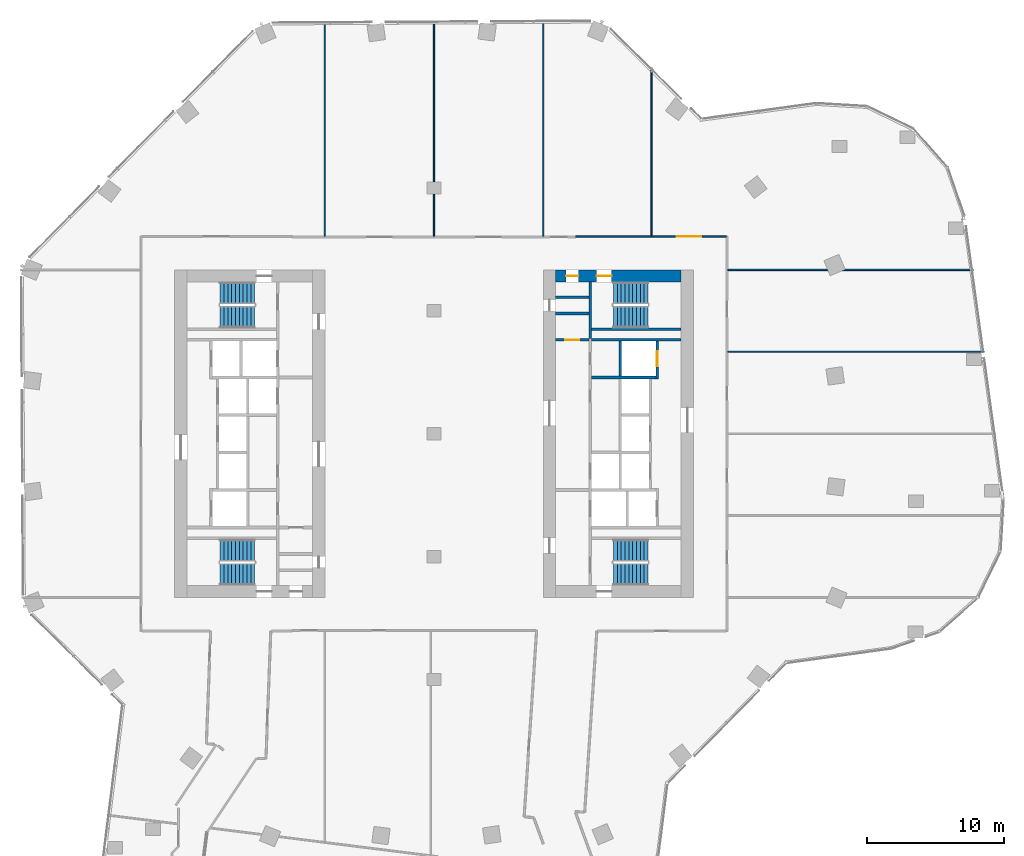
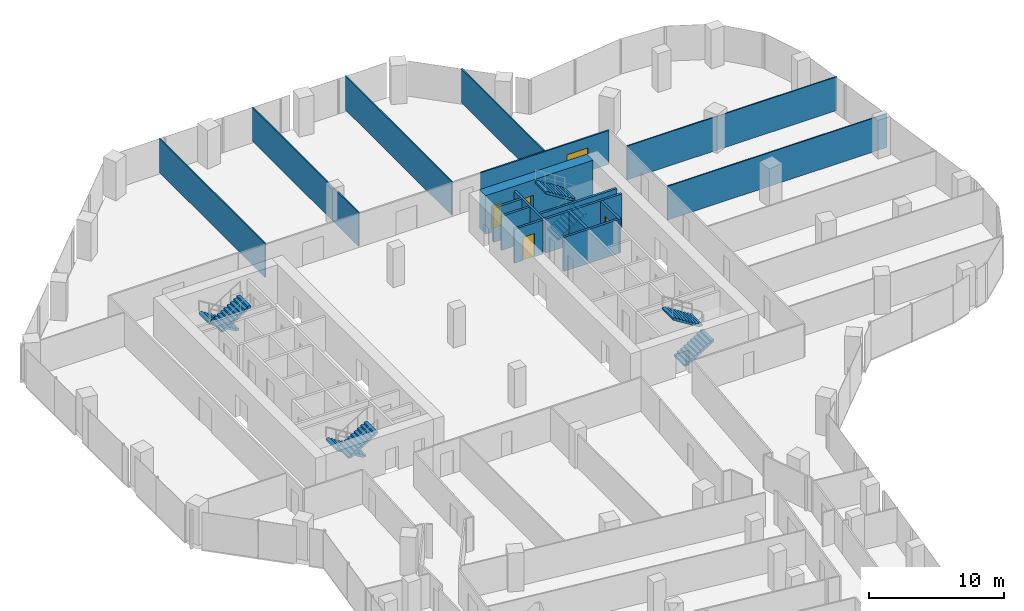
# One storey, part 23 of 27: 17 walls, 8 stair flights, 5 doors, 5 openings, 4 elements without a shape of their own.
"""IFC4 building model written with IfcOpenShell, lengths in metres."""

from ifc_helpers import new_model, si_unit, direction, frame, frame_2d, origin, place, context, subcontext, project, spatial, polyline, rectangle, outline, extrude, material, layer, layer_set, type_object, element, fill, aggregate, save


model = new_model("IFC4")

# Units and contexts
model_context = context("Model", 3, precision=1e-05, world=origin(), true_north=direction((0.0, 1.0)))
body_context = subcontext(model_context, "Body", "Model", "MODEL_VIEW")
ifc_project = project(units=[si_unit("LENGTHUNIT", "METRE"), si_unit("AREAUNIT", "SQUARE_METRE"), si_unit("VOLUMEUNIT", "CUBIC_METRE"), si_unit("PLANEANGLEUNIT", "RADIAN"), si_unit("MASSUNIT", "GRAM", prefix="KILO")], contexts=[model_context])

# Site, building, storey
site_placement = place(None, origin())
site = spatial("IfcSite", under=ifc_project, at=site_placement, CompositionType="ELEMENT")
building_placement = place(site_placement, origin())
building = spatial("IfcBuilding", under=site, at=building_placement, Name="Orlundy Tower", CompositionType="ELEMENT")
storey_placement = place(building_placement, frame((0.0, 0.0, 195.60009765625)))
storey = spatial("IfcBuildingStorey", under=building, at=storey_placement, Name="L51", CompositionType="ELEMENT", Elevation=195.60009765625)

# Wall, openings, doors
ifc_material_1 = material(Name="Concrete C70/85", Category="concrete")
ifc_layer_1 = layer(ifc_material_1, 0.89990234375)
ifc_layer_set_1 = layer_set([ifc_layer_1], Name="CORE WALL 900 C70/85")
wall_type_1 = type_object("IfcWallType", Name="CORE WALL 900 C70/85", PredefinedType="SHEAR", material=ifc_layer_set_1)
wall_1_placement = place(storey_placement, frame((8.89990234375, 11.550048828125, 0.0), z_axis=(0.0, 0.0, 1.0), x_axis=(1.0, 0.0, 0.0)))
wall_1 = element("IfcWall", 1, at=wall_1_placement, inside=storey, type_object=wall_type_1, Name="Core wall E-N L51", PredefinedType="SHEAR", context=body_context, shape_type="SweptSolid", body=[
    extrude(rectangle(XDim=9.2001953125, YDim=0.89990234375, at=frame_2d((4.60009765625, 0.0))), origin(), (0.0, 0.0, 1.0), 3.5),
])
opening_1_placement = place(wall_1_placement, frame((3.0, 0.0, 0.0)))
opening_1 = element("IfcOpeningElement", 2, at=opening_1_placement, cuts=wall_1, Name="Opening 39062", PredefinedType="OPENING", context=body_context, shape_type="SweptSolid", body=[
    extrude(rectangle(XDim=1.10009765625, YDim=2.10009765625, at=frame_2d((0.550048828125, 1.050048828125))), frame((0.0, 0.4599609375, 0.0), z_axis=(0.0, -1.0, 0.0), x_axis=(1.0, 0.0, 0.0)), (0.0, 0.0, 1.0), 0.919921875),
])
opening_2_placement = place(wall_1_placement, frame((0.77001953125, 0.0, 0.0)))
opening_2 = element("IfcOpeningElement", 3, at=opening_2_placement, cuts=wall_1, Name="Opening 39064", PredefinedType="OPENING", context=body_context, shape_type="SweptSolid", body=[
    extrude(rectangle(XDim=0.89990234375, YDim=2.10009765625, at=frame_2d((0.449951171875, 1.050048828125))), frame((0.0, 0.4599609375, 0.0), z_axis=(0.0, -1.0, 0.0), x_axis=(1.0, 0.0, 0.0)), (0.0, 0.0, 1.0), 0.919921875),
])
ifc_material_2 = material(Name="Timber door set", Category="wood")
door_type_1 = type_object("IfcDoorType", Name="Room Door 900x2100", OperationType="SINGLE_SWING_LEFT", PredefinedType="DOOR", material=ifc_material_2)
door_1_placement = place(opening_2_placement, origin())
door_1 = element("IfcDoor", 4, at=door_1_placement, inside=storey, type_object=door_type_1, Name="Store door 39064", OperationType="SINGLE_SWING_LEFT", OverallHeight=2.10009765625, OverallWidth=0.89990234375, PredefinedType="DOOR", context=body_context, shape_type="SweptSolid", body=[
    extrude(rectangle(XDim=0.89990234375, YDim=2.10009765625, at=frame_2d((0.449951171875, 1.050048828125))), frame((0.0, 0.02490234375, 0.0), z_axis=(0.0, -1.0, 0.0), x_axis=(1.0, 0.0, 0.0)), (0.0, 0.0, 1.0), 0.050048828125),
])
fill(opening_2, door_1)
ifc_material_3 = material(Name="Steel door set", Category="steel")
door_type_2 = type_object("IfcDoorType", Name="Stair Door 1100x2100", OperationType="SINGLE_SWING_LEFT", PredefinedType="DOOR", material=ifc_material_3)
door_2_placement = place(opening_1_placement, origin())
door_2 = element("IfcDoor", 5, at=door_2_placement, inside=storey, type_object=door_type_2, Name="Stair door 39062", OperationType="SINGLE_SWING_LEFT", OverallHeight=2.10009765625, OverallWidth=1.10009765625, PredefinedType="DOOR", context=body_context, shape_type="SweptSolid", body=[
    extrude(rectangle(XDim=1.10009765625, YDim=2.10009765625, at=frame_2d((0.550048828125, 1.050048828125))), frame((0.0, 0.02490234375, 0.0), z_axis=(0.0, -1.0, 0.0), x_axis=(1.0, 0.0, 0.0)), (0.0, 0.0, 1.0), 0.050048828125),
])
fill(opening_1, door_2)

# Walls
ifc_material_4 = material(Name="Gypsum board partition")
ifc_layer_2 = layer(ifc_material_4, 0.10009765625)
ifc_layer_set_2 = layer_set([ifc_layer_2], Name="Floor partition 100")
wall_type_2 = type_object("IfcWallType", Name="Floor partition 100", PredefinedType="PARTITIONING", material=ifc_layer_set_2)
wall_2_placement = place(storey_placement, frame((21.511962890625, 6.0, 0.0), z_axis=(0.0, 0.0, 1.0), x_axis=(1.0, 0.0, 0.0)))
element("IfcWall", 6, at=wall_2_placement, inside=storey, type_object=wall_type_2, Name="wall-int-L51-037", PredefinedType="PARTITIONING", context=body_context, shape_type="SweptSolid", body=[
    extrude(rectangle(XDim=18.796142578125, YDim=0.10009765625, at=frame_2d((9.39794921875, 0.0))), origin(), (0.0, 0.0, 1.0), 3.059814453125),
])
wall_3_placement = place(storey_placement, frame((21.511962890625, 12.0, 0.0), z_axis=(0.0, 0.0, 1.0), x_axis=(1.0, 0.0, 0.0)))
element("IfcWall", 7, at=wall_3_placement, inside=storey, type_object=wall_type_2, Name="wall-int-L51-039", PredefinedType="PARTITIONING", context=body_context, shape_type="SweptSolid", body=[
    extrude(rectangle(XDim=17.970947265625, YDim=0.10009765625, at=frame_2d((8.9853515625, 0.0))), origin(), (0.0, 0.0, 1.0), 3.059814453125),
])
wall_4_placement = place(storey_placement, frame((15.9208984375, 14.513916015625, 0.0), z_axis=(0.0, 0.0, 1.0), x_axis=(0.0, 1.0, 0.0)))
element("IfcWall", 8, at=wall_4_placement, inside=storey, type_object=wall_type_2, Name="wall-int-L51-068", PredefinedType="PARTITIONING", context=body_context, shape_type="SweptSolid", body=[
    extrude(rectangle(XDim=12.283203125, YDim=0.10009765625, at=frame_2d((6.1416015625, 0.0))), origin(), (0.0, 0.0, 1.0), 3.059814453125),
])
wall_5_placement = place(storey_placement, frame((8.0, 14.462890625, 0.0), z_axis=(0.0, 0.0, 1.0), x_axis=(0.0, 1.0, 0.0)))
element("IfcWall", 9, at=wall_5_placement, inside=storey, type_object=wall_type_2, Name="wall-int-L51-069", PredefinedType="PARTITIONING", context=body_context, shape_type="SweptSolid", body=[
    extrude(rectangle(XDim=15.834228515625, YDim=0.10009765625, at=frame_2d((7.9169921875, 0.0))), origin(), (0.0, 0.0, 1.0), 3.059814453125),
])
wall_6_placement = place(storey_placement, frame((0.0, 14.462890625, 0.0), z_axis=(0.0, 0.0, 1.0), x_axis=(0.0, 1.0, 0.0)))
element("IfcWall", 10, at=wall_6_placement, inside=storey, type_object=wall_type_2, Name="wall-int-L51-071", PredefinedType="PARTITIONING", context=body_context, shape_type="SweptSolid", body=[
    extrude(rectangle(XDim=15.7880859375, YDim=0.10009765625, at=frame_2d((7.89404296875, 0.0))), origin(), (0.0, 0.0, 1.0), 3.059814453125),
])
wall_7_placement = place(storey_placement, frame((-8.0, 14.462890625, 0.0), z_axis=(0.0, 0.0, 1.0), x_axis=(0.0, 1.0, 0.0)))
element("IfcWall", 11, at=wall_7_placement, inside=storey, type_object=wall_type_2, Name="wall-int-L51-075", PredefinedType="PARTITIONING", context=body_context, shape_type="SweptSolid", body=[
    extrude(rectangle(XDim=15.7412109375, YDim=0.10009765625, at=frame_2d((7.87060546875, 0.0))), origin(), (0.0, 0.0, 1.0), 3.059814453125),
])

# Wall, opening, door
ifc_material_5 = material(Name="Gypsum board partition, double layer")
ifc_layer_3 = layer(ifc_material_5, 0.125)
ifc_layer_set_3 = layer_set([ifc_layer_3], Name="Floor partition 125")
wall_type_3 = type_object("IfcWallType", Name="Floor partition 125", PredefinedType="PARTITIONING", material=ifc_layer_set_3)
wall_8_placement = place(storey_placement, frame((10.39111328125, 14.450927734375, 0.0), z_axis=(0.0, 0.0, 1.0), x_axis=(1.0, 0.0, 0.0)))
wall_8 = element("IfcWall", 12, at=wall_8_placement, inside=storey, type_object=wall_type_3, Name="wall-int-L51-042", PredefinedType="PARTITIONING", context=body_context, shape_type="SweptSolid", body=[
    extrude(rectangle(XDim=10.995849609375, YDim=0.125, at=frame_2d((5.498046875, 0.0))), origin(), (0.0, 0.0, 1.0), 3.059814453125),
])
opening_3_placement = place(wall_8_placement, frame((7.3798828125, 0.0, 0.0)))
opening_3 = element("IfcOpeningElement", 13, at=opening_3_placement, cuts=wall_8, Name="Opening 39122", PredefinedType="OPENING", context=body_context, shape_type="SweptSolid", body=[
    extrude(rectangle(XDim=1.800048828125, YDim=2.10009765625, at=frame_2d((0.89990234375, 1.050048828125))), frame((0.0, 0.072509765625, 0.0), z_axis=(0.0, -1.0, 0.0), x_axis=(1.0, 0.0, 0.0)), (0.0, 0.0, 1.0), 0.14501953125),
])
ifc_material_6 = material(Name="Timber door leaf", Category="wood")
door_type_3 = type_object("IfcDoorType", Name="Floor door double 1800 FD30S", OperationType="NOTDEFINED", PredefinedType="DOOR", material=ifc_material_6)
door_3_placement = place(opening_3_placement, origin())
door_3 = element("IfcDoor", 14, at=door_3_placement, inside=storey, type_object=door_type_3, Name="Door 39122", OperationType="DOUBLE_DOOR_SINGLE_SWING", OverallHeight=2.10009765625, OverallWidth=1.800048828125, PredefinedType="DOOR", context=body_context, shape_type="SweptSolid", body=[
    extrude(rectangle(XDim=1.800048828125, YDim=2.10009765625, at=frame_2d((0.89990234375, 1.050048828125))), frame((0.0, 0.02490234375, 0.0), z_axis=(0.0, -1.0, 0.0), x_axis=(1.0, 0.0, 0.0)), (0.0, 0.0, 1.0), 0.050048828125),
])
fill(opening_3, door_3)

# Walls
ifc_material_7 = material(Name="Concrete C40/50", Category="concrete")
ifc_layer_4 = layer(ifc_material_7, 0.199951171875)
ifc_layer_set_4 = layer_set([ifc_layer_4], Name="Load-bearing Shaft Wall 200")
wall_type_4 = type_object("IfcWallType", Name="Load-bearing Shaft Wall 200", PredefinedType="SOLIDWALL", material=ifc_layer_set_4)
wall_9_placement = place(storey_placement, frame((11.43994140625, 11.10009765625, 0.0), z_axis=(0.0, 0.0, 1.0), x_axis=(0.0, -1.0, 0.0)))
element("IfcWall", 15, at=wall_9_placement, inside=storey, type_object=wall_type_4, Name="Shaft wall E39-stair-end-s", PredefinedType="SOLIDWALL", context=body_context, shape_type="SweptSolid", body=[
    extrude(rectangle(XDim=4.125, YDim=0.199951171875, at=frame_2d((2.0625, 0.0))), origin(), (0.0, 0.0, 1.0), 3.079833984375),
])
wall_10_placement = place(storey_placement, frame((11.5400390625, 7.64990234375, 0.0), z_axis=(0.0, 0.0, 1.0), x_axis=(1.0, 0.0, 0.0)))
element("IfcWall", 16, at=wall_10_placement, inside=storey, type_object=wall_type_4, Name="Shaft wall E39-stair-side-s", PredefinedType="SOLIDWALL", context=body_context, shape_type="SweptSolid", body=[
    extrude(rectangle(XDim=6.56005859375, YDim=0.199951171875, at=frame_2d((3.280029296875, 0.0))), origin(), (0.0, 0.0, 1.0), 3.079833984375),
])

# Wall, opening, door
ifc_material_8 = material(Name="Gypsum board partition on steel studs", Category="steel")
ifc_layer_5 = layer(ifc_material_8, 0.199951171875)
ifc_layer_set_5 = layer_set([ifc_layer_5], Name="Partition 200")
wall_type_5 = type_object("IfcWallType", Name="Partition 200", PredefinedType="PARTITIONING", material=ifc_layer_set_5)
wall_11_placement = place(storey_placement, frame((8.89990234375, 6.875, 0.0), z_axis=(0.0, 0.0, 1.0), x_axis=(1.0, 0.0, 0.0)))
wall_11 = element("IfcWall", 17, at=wall_11_placement, inside=storey, type_object=wall_type_5, Name="Partition wall E39-end-s", PredefinedType="PARTITIONING", context=body_context, shape_type="SweptSolid", body=[
    extrude(rectangle(XDim=2.440185546875, YDim=0.199951171875, at=frame_2d((1.22021484375, 0.0))), origin(), (0.0, 0.0, 1.0), 3.079833984375),
])
opening_4_placement = place(wall_11_placement, frame((0.719970703125, 0.0, 0.0)))
opening_4 = element("IfcOpeningElement", 18, at=opening_4_placement, cuts=wall_11, Name="Opening 39066", PredefinedType="OPENING", context=body_context, shape_type="SweptSolid", body=[
    extrude(rectangle(XDim=1.0, YDim=2.10009765625, at=frame_2d((0.5, 1.050048828125))), frame((0.0, 0.110107421875, 0.0), z_axis=(0.0, -1.0, 0.0), x_axis=(1.0, 0.0, 0.0)), (0.0, 0.0, 1.0), 0.22021484375),
])
ifc_material_9 = material(Name="Timber door set", Category="wood")
door_type_4 = type_object("IfcDoorType", Name="Accessible Door 1000x2100", OperationType="SINGLE_SWING_LEFT", PredefinedType="DOOR", material=ifc_material_9)
door_4_placement = place(opening_4_placement, origin())
door_4 = element("IfcDoor", 19, at=door_4_placement, inside=storey, type_object=door_type_4, Name="Accessible WC door 39066", OperationType="SINGLE_SWING_RIGHT", OverallHeight=2.10009765625, OverallWidth=1.0, PredefinedType="DOOR", context=body_context, shape_type="SweptSolid", body=[
    extrude(rectangle(XDim=1.0, YDim=2.10009765625, at=frame_2d((0.5, 1.050048828125))), frame((0.0, 0.02490234375, 0.0), z_axis=(0.0, -1.0, 0.0), x_axis=(1.0, 0.0, 0.0)), (0.0, 0.0, 1.0), 0.050048828125),
])
fill(opening_4, door_4)

# Walls
for number, where, z_axis, x_axis, name in (
    (20, (8.89990234375, 10.0, 0.0), (0.0, 0.0, 1.0), (1.0, 0.0, 0.0), "Partition wall E39-room-s0"),
    (21, (8.89990234375, 8.800048828125, 0.0), (0.0, 0.0, 1.0), (1.0, 0.0, 0.0), "Partition wall E39-room-s1"),
):
    element("IfcWall", number, at=place(storey_placement, frame(where, z_axis=z_axis, x_axis=x_axis)), inside=storey, type_object=wall_type_5, Name=name, PredefinedType="PARTITIONING", context=body_context, shape_type="SweptSolid", body=[
        extrude(rectangle(XDim=2.440185546875, YDim=0.199951171875, at=frame_2d((1.22021484375, 0.0))), origin(), (0.0, 0.0, 1.0), 3.079833984375),
    ])
ifc_material_10 = material(Name="Fire-rated blockwork shaft wall", Category="masonry")
ifc_layer_6 = layer(ifc_material_10, 0.199951171875)
ifc_layer_set_6 = layer_set([ifc_layer_6], Name="Shaft Wall 200")
wall_type_6 = type_object("IfcWallType", Name="Shaft Wall 200", PredefinedType="SOLIDWALL", material=ifc_layer_set_6)
wall_12_placement = place(storey_placement, frame((11.5400390625, 6.875, 0.0), z_axis=(0.0, 0.0, 1.0), x_axis=(1.0, 0.0, 0.0)))
element("IfcWall", 22, at=wall_12_placement, inside=storey, type_object=wall_type_6, Name="Shaft wall E39-zone-s", PredefinedType="SOLIDWALL", context=body_context, shape_type="SweptSolid", body=[
    extrude(rectangle(XDim=6.56005859375, YDim=0.199951171875, at=frame_2d((3.280029296875, 0.0))), origin(), (0.0, 0.0, 1.0), 3.079833984375),
])
wall_13_placement = place(storey_placement, frame((11.5400390625, 4.125, 0.0), z_axis=(0.0, 0.0, 1.0), x_axis=(1.0, 0.0, 0.0)))
element("IfcWall", 23, at=wall_13_placement, inside=storey, type_object=wall_type_6, Name="Shaft wall E39-cross-4.125", PredefinedType="SOLIDWALL", context=body_context, shape_type="SweptSolid", body=[
    extrude(rectangle(XDim=4.699951171875, YDim=0.199951171875, at=frame_2d((2.35009765625, 0.0))), origin(), (0.0, 0.0, 1.0), 3.079833984375),
])
wall_14_placement = place(storey_placement, frame((13.639892578125, 6.77490234375, 0.0), z_axis=(0.0, 0.0, 1.0), x_axis=(0.0, -1.0, 0.0)))
element("IfcWall", 24, at=wall_14_placement, inside=storey, type_object=wall_type_6, Name="Shaft wall E39-mid-a", PredefinedType="SOLIDWALL", context=body_context, shape_type="SweptSolid", body=[
    extrude(rectangle(XDim=2.5498046875, YDim=0.199951171875, at=frame_2d((1.27490234375, 0.0))), origin(), (0.0, 0.0, 1.0), 3.079833984375),
])

# Wall, opening, door
wall_15_placement = place(storey_placement, frame((16.340087890625, 6.77490234375, 0.0), z_axis=(0.0, 0.0, 1.0), x_axis=(0.0, -1.0, 0.0)))
wall_15 = element("IfcWall", 25, at=wall_15_placement, inside=storey, type_object=wall_type_6, Name="Shaft wall E39-front-o-a", PredefinedType="SOLIDWALL", context=body_context, shape_type="SweptSolid", body=[
    extrude(rectangle(XDim=2.75, YDim=0.199951171875, at=frame_2d((1.375, 0.0))), origin(), (0.0, 0.0, 1.0), 3.079833984375),
])
opening_5_placement = place(wall_15_placement, frame((0.72509765625, 0.0, 0.0)))
opening_5 = element("IfcOpeningElement", 26, at=opening_5_placement, cuts=wall_15, Name="Opening 39050", PredefinedType="OPENING", context=body_context, shape_type="SweptSolid", body=[
    extrude(rectangle(XDim=1.10009765625, YDim=2.10009765625, at=frame_2d((0.550048828125, 1.050048828125))), frame((0.0, 0.110107421875, 0.0), z_axis=(0.0, -1.0, 0.0), x_axis=(1.0, 0.0, 0.0)), (0.0, 0.0, 1.0), 0.22021484375),
])
ifc_material_11 = material(Name="Steel door set", Category="steel")
door_type_5 = type_object("IfcDoorType", Name="Landing Door 1100x2100", OperationType="DOUBLE_DOOR_SLIDING", PredefinedType="DOOR", material=ifc_material_11)
door_5_placement = place(opening_5_placement, origin())
door_5 = element("IfcDoor", 27, at=door_5_placement, inside=storey, type_object=door_type_5, Name="Lift landing door LV-02 39050", OperationType="DOUBLE_DOOR_SLIDING", OverallHeight=2.10009765625, OverallWidth=1.10009765625, PredefinedType="DOOR", context=body_context, shape_type="SweptSolid", body=[
    extrude(rectangle(XDim=1.10009765625, YDim=2.10009765625, at=frame_2d((0.550048828125, 1.050048828125))), frame((0.0, 0.02490234375, 0.0), z_axis=(0.0, -1.0, 0.0), x_axis=(1.0, 0.0, 0.0)), (0.0, 0.0, 1.0), 0.050048828125),
])
fill(opening_5, door_5)

# Stair, stair flights
ifc_material_12 = material(Name="Concrete C50/60", Category="concrete")
stair_type = type_object("IfcStairType", Name="Exit Stair 20 risers", PredefinedType="HALF_TURN_STAIR", material=ifc_material_12)
stair_1_placement = place(storey_placement, origin())
stair_1 = element("IfcStair", 28, at=stair_1_placement, inside=storey, type_object=stair_type, Name="L51 Exit Stair ST-W1", PredefinedType="HALF_TURN_STAIR")
ifc_material_13 = material(Name="Concrete C50/60", Category="concrete")
stair_flight_type = type_object("IfcStairFlightType", Name="Stair Flight 10 risers", PredefinedType="STRAIGHT", material=ifc_material_13)
stair_flight_1_placement = place(storey_placement, frame((-13.139892578125, 10.300048828125, 0.0), z_axis=(0.0, 0.0, 1.0), x_axis=(-1.0, 0.0, 0.0)))
stair_flight_1 = element("IfcStairFlight", 29, at=stair_flight_1_placement, type_object=stair_flight_type, Name="ST-W1 flight 1", NumberOfRisers=10, NumberOfTreads=9, PredefinedType="STRAIGHT", RiserHeight=0.175, TreadLength=0.28, context=body_context, shape_type="SweptSolid", body=[
    extrude(outline(polyline([(0.0, 0.0), (0.0, 0.175048828125), (0.280029296875, 0.175048828125), (0.280029296875, 0.35009765625), (0.56005859375, 0.35009765625), (0.56005859375, 0.52490234375), (0.840087890625, 0.52490234375), (0.840087890625, 0.699951171875), (1.1201171875, 0.699951171875), (1.1201171875, 0.875), (1.39990234375, 0.875), (1.39990234375, 1.050048828125), (1.679931640625, 1.050048828125), (1.679931640625, 1.22509765625), (1.9599609375, 1.22509765625), (1.9599609375, 1.39990234375), (2.239990234375, 1.39990234375), (2.239990234375, 1.574951171875), (2.52001953125, 1.574951171875), (2.52001953125, 1.75), (2.52001953125, 1.398193359375), (0.28271484375, 0.0), (0.0, 0.0)])), frame((0.0, 0.800048828125, 0.0), z_axis=(0.0, -1.0, 0.0), x_axis=(1.0, 0.0, 0.0)), (0.0, 0.0, 1.0), 1.60009765625),
])
stair_flight_2_placement = place(storey_placement, frame((-15.659912109375, 8.550048828125, 1.75), z_axis=(0.0, 0.0, 1.0), x_axis=(1.0, 0.0, 0.0)))
stair_flight_2 = element("IfcStairFlight", 30, at=stair_flight_2_placement, type_object=stair_flight_type, Name="ST-W1 flight 2", NumberOfRisers=10, NumberOfTreads=9, PredefinedType="STRAIGHT", RiserHeight=0.175, TreadLength=0.28, context=body_context, shape_type="SweptSolid", body=[
    extrude(outline(polyline([(0.0, 0.0), (0.0, 0.175048828125), (0.280029296875, 0.175048828125), (0.280029296875, 0.35009765625), (0.56005859375, 0.35009765625), (0.56005859375, 0.52490234375), (0.840087890625, 0.52490234375), (0.840087890625, 0.699951171875), (1.1201171875, 0.699951171875), (1.1201171875, 0.875), (1.39990234375, 0.875), (1.39990234375, 1.050048828125), (1.679931640625, 1.050048828125), (1.679931640625, 1.22509765625), (1.9599609375, 1.22509765625), (1.9599609375, 1.39990234375), (2.239990234375, 1.39990234375), (2.239990234375, 1.574951171875), (2.52001953125, 1.574951171875), (2.52001953125, 1.75), (2.52001953125, 1.398193359375), (0.28271484375, 0.0), (0.0, 0.0)])), frame((0.0, 0.800048828125, 0.0), z_axis=(0.0, -1.0, 0.0), x_axis=(1.0, 0.0, 0.0)), (0.0, 0.0, 1.0), 1.60009765625),
])
aggregate(stair_1, [stair_flight_1, stair_flight_2])

stair_2_placement = place(storey_placement, origin())
stair_2 = element("IfcStair", 31, at=stair_2_placement, inside=storey, type_object=stair_type, Name="L51 Exit Stair ST-W2", PredefinedType="HALF_TURN_STAIR")
stair_flight_3_placement = place(storey_placement, frame((-13.139892578125, -8.550048828125, 0.0), z_axis=(0.0, 0.0, 1.0), x_axis=(-1.0, 0.0, 0.0)))
stair_flight_3 = element("IfcStairFlight", 32, at=stair_flight_3_placement, type_object=stair_flight_type, Name="ST-W2 flight 1", NumberOfRisers=10, NumberOfTreads=9, PredefinedType="STRAIGHT", RiserHeight=0.175, TreadLength=0.28, context=body_context, shape_type="SweptSolid", body=[
    extrude(outline(polyline([(0.0, 0.0), (0.0, 0.175048828125), (0.280029296875, 0.175048828125), (0.280029296875, 0.35009765625), (0.56005859375, 0.35009765625), (0.56005859375, 0.52490234375), (0.840087890625, 0.52490234375), (0.840087890625, 0.699951171875), (1.1201171875, 0.699951171875), (1.1201171875, 0.875), (1.39990234375, 0.875), (1.39990234375, 1.050048828125), (1.679931640625, 1.050048828125), (1.679931640625, 1.22509765625), (1.9599609375, 1.22509765625), (1.9599609375, 1.39990234375), (2.239990234375, 1.39990234375), (2.239990234375, 1.574951171875), (2.52001953125, 1.574951171875), (2.52001953125, 1.75), (2.52001953125, 1.398193359375), (0.28271484375, 0.0), (0.0, 0.0)])), frame((0.0, 0.800048828125, 0.0), z_axis=(0.0, -1.0, 0.0), x_axis=(1.0, 0.0, 0.0)), (0.0, 0.0, 1.0), 1.60009765625),
])
stair_flight_4_placement = place(storey_placement, frame((-15.659912109375, -10.300048828125, 1.75), z_axis=(0.0, 0.0, 1.0), x_axis=(1.0, 0.0, 0.0)))
stair_flight_4 = element("IfcStairFlight", 33, at=stair_flight_4_placement, type_object=stair_flight_type, Name="ST-W2 flight 2", NumberOfRisers=10, NumberOfTreads=9, PredefinedType="STRAIGHT", RiserHeight=0.175, TreadLength=0.28, context=body_context, shape_type="SweptSolid", body=[
    extrude(outline(polyline([(0.0, 0.0), (0.0, 0.175048828125), (0.280029296875, 0.175048828125), (0.280029296875, 0.35009765625), (0.56005859375, 0.35009765625), (0.56005859375, 0.52490234375), (0.840087890625, 0.52490234375), (0.840087890625, 0.699951171875), (1.1201171875, 0.699951171875), (1.1201171875, 0.875), (1.39990234375, 0.875), (1.39990234375, 1.050048828125), (1.679931640625, 1.050048828125), (1.679931640625, 1.22509765625), (1.9599609375, 1.22509765625), (1.9599609375, 1.39990234375), (2.239990234375, 1.39990234375), (2.239990234375, 1.574951171875), (2.52001953125, 1.574951171875), (2.52001953125, 1.75), (2.52001953125, 1.398193359375), (0.28271484375, 0.0), (0.0, 0.0)])), frame((0.0, 0.800048828125, 0.0), z_axis=(0.0, -1.0, 0.0), x_axis=(1.0, 0.0, 0.0)), (0.0, 0.0, 1.0), 1.60009765625),
])
aggregate(stair_2, [stair_flight_3, stair_flight_4])

stair_3_placement = place(storey_placement, origin())
stair_3 = element("IfcStair", 34, at=stair_3_placement, inside=storey, type_object=stair_type, Name="L51 Exit Stair ST-E1", PredefinedType="HALF_TURN_STAIR")
stair_flight_5_placement = place(storey_placement, frame((13.139892578125, -10.300048828125, 0.0), z_axis=(0.0, 0.0, 1.0), x_axis=(1.0, 0.0, 0.0)))
stair_flight_5 = element("IfcStairFlight", 35, at=stair_flight_5_placement, type_object=stair_flight_type, Name="ST-E1 flight 1", NumberOfRisers=10, NumberOfTreads=9, PredefinedType="STRAIGHT", RiserHeight=0.175, TreadLength=0.28, context=body_context, shape_type="SweptSolid", body=[
    extrude(outline(polyline([(0.0, 0.0), (0.0, 0.175048828125), (0.280029296875, 0.175048828125), (0.280029296875, 0.35009765625), (0.56005859375, 0.35009765625), (0.56005859375, 0.52490234375), (0.840087890625, 0.52490234375), (0.840087890625, 0.699951171875), (1.1201171875, 0.699951171875), (1.1201171875, 0.875), (1.39990234375, 0.875), (1.39990234375, 1.050048828125), (1.679931640625, 1.050048828125), (1.679931640625, 1.22509765625), (1.9599609375, 1.22509765625), (1.9599609375, 1.39990234375), (2.239990234375, 1.39990234375), (2.239990234375, 1.574951171875), (2.52001953125, 1.574951171875), (2.52001953125, 1.75), (2.52001953125, 1.398193359375), (0.28271484375, 0.0), (0.0, 0.0)])), frame((0.0, 0.800048828125, 0.0), z_axis=(0.0, -1.0, 0.0), x_axis=(1.0, 0.0, 0.0)), (0.0, 0.0, 1.0), 1.60009765625),
])
stair_flight_6_placement = place(storey_placement, frame((15.659912109375, -8.550048828125, 1.75), z_axis=(0.0, 0.0, 1.0), x_axis=(-1.0, 0.0, 0.0)))
stair_flight_6 = element("IfcStairFlight", 36, at=stair_flight_6_placement, type_object=stair_flight_type, Name="ST-E1 flight 2", NumberOfRisers=10, NumberOfTreads=9, PredefinedType="STRAIGHT", RiserHeight=0.175, TreadLength=0.28, context=body_context, shape_type="SweptSolid", body=[
    extrude(outline(polyline([(0.0, 0.0), (0.0, 0.175048828125), (0.280029296875, 0.175048828125), (0.280029296875, 0.35009765625), (0.56005859375, 0.35009765625), (0.56005859375, 0.52490234375), (0.840087890625, 0.52490234375), (0.840087890625, 0.699951171875), (1.1201171875, 0.699951171875), (1.1201171875, 0.875), (1.39990234375, 0.875), (1.39990234375, 1.050048828125), (1.679931640625, 1.050048828125), (1.679931640625, 1.22509765625), (1.9599609375, 1.22509765625), (1.9599609375, 1.39990234375), (2.239990234375, 1.39990234375), (2.239990234375, 1.574951171875), (2.52001953125, 1.574951171875), (2.52001953125, 1.75), (2.52001953125, 1.398193359375), (0.28271484375, 0.0), (0.0, 0.0)])), frame((0.0, 0.800048828125, 0.0), z_axis=(0.0, -1.0, 0.0), x_axis=(1.0, 0.0, 0.0)), (0.0, 0.0, 1.0), 1.60009765625),
])
aggregate(stair_3, [stair_flight_5, stair_flight_6])

stair_4_placement = place(storey_placement, origin())
stair_4 = element("IfcStair", 37, at=stair_4_placement, inside=storey, type_object=stair_type, Name="L51 Exit Stair ST-E2", PredefinedType="HALF_TURN_STAIR")
stair_flight_7_placement = place(storey_placement, frame((13.139892578125, 8.550048828125, 0.0), z_axis=(0.0, 0.0, 1.0), x_axis=(1.0, 0.0, 0.0)))
stair_flight_7 = element("IfcStairFlight", 38, at=stair_flight_7_placement, type_object=stair_flight_type, Name="ST-E2 flight 1", NumberOfRisers=10, NumberOfTreads=9, PredefinedType="STRAIGHT", RiserHeight=0.175, TreadLength=0.28, context=body_context, shape_type="SweptSolid", body=[
    extrude(outline(polyline([(0.0, 0.0), (0.0, 0.175048828125), (0.280029296875, 0.175048828125), (0.280029296875, 0.35009765625), (0.56005859375, 0.35009765625), (0.56005859375, 0.52490234375), (0.840087890625, 0.52490234375), (0.840087890625, 0.699951171875), (1.1201171875, 0.699951171875), (1.1201171875, 0.875), (1.39990234375, 0.875), (1.39990234375, 1.050048828125), (1.679931640625, 1.050048828125), (1.679931640625, 1.22509765625), (1.9599609375, 1.22509765625), (1.9599609375, 1.39990234375), (2.239990234375, 1.39990234375), (2.239990234375, 1.574951171875), (2.52001953125, 1.574951171875), (2.52001953125, 1.75), (2.52001953125, 1.398193359375), (0.28271484375, 0.0), (0.0, 0.0)])), frame((0.0, 0.800048828125, 0.0), z_axis=(0.0, -1.0, 0.0), x_axis=(1.0, 0.0, 0.0)), (0.0, 0.0, 1.0), 1.60009765625),
])
stair_flight_8_placement = place(storey_placement, frame((15.659912109375, 10.300048828125, 1.75), z_axis=(0.0, 0.0, 1.0), x_axis=(-1.0, 0.0, 0.0)))
stair_flight_8 = element("IfcStairFlight", 39, at=stair_flight_8_placement, type_object=stair_flight_type, Name="ST-E2 flight 2", NumberOfRisers=10, NumberOfTreads=9, PredefinedType="STRAIGHT", RiserHeight=0.175, TreadLength=0.28, context=body_context, shape_type="SweptSolid", body=[
    extrude(outline(polyline([(0.0, 0.0), (0.0, 0.175048828125), (0.280029296875, 0.175048828125), (0.280029296875, 0.35009765625), (0.56005859375, 0.35009765625), (0.56005859375, 0.52490234375), (0.840087890625, 0.52490234375), (0.840087890625, 0.699951171875), (1.1201171875, 0.699951171875), (1.1201171875, 0.875), (1.39990234375, 0.875), (1.39990234375, 1.050048828125), (1.679931640625, 1.050048828125), (1.679931640625, 1.22509765625), (1.9599609375, 1.22509765625), (1.9599609375, 1.39990234375), (2.239990234375, 1.39990234375), (2.239990234375, 1.574951171875), (2.52001953125, 1.574951171875), (2.52001953125, 1.75), (2.52001953125, 1.398193359375), (0.28271484375, 0.0), (0.0, 0.0)])), frame((0.0, 0.800048828125, 0.0), z_axis=(0.0, -1.0, 0.0), x_axis=(1.0, 0.0, 0.0)), (0.0, 0.0, 1.0), 1.60009765625),
])
aggregate(stair_4, [stair_flight_7, stair_flight_8])

save(model, "model.ifc")
